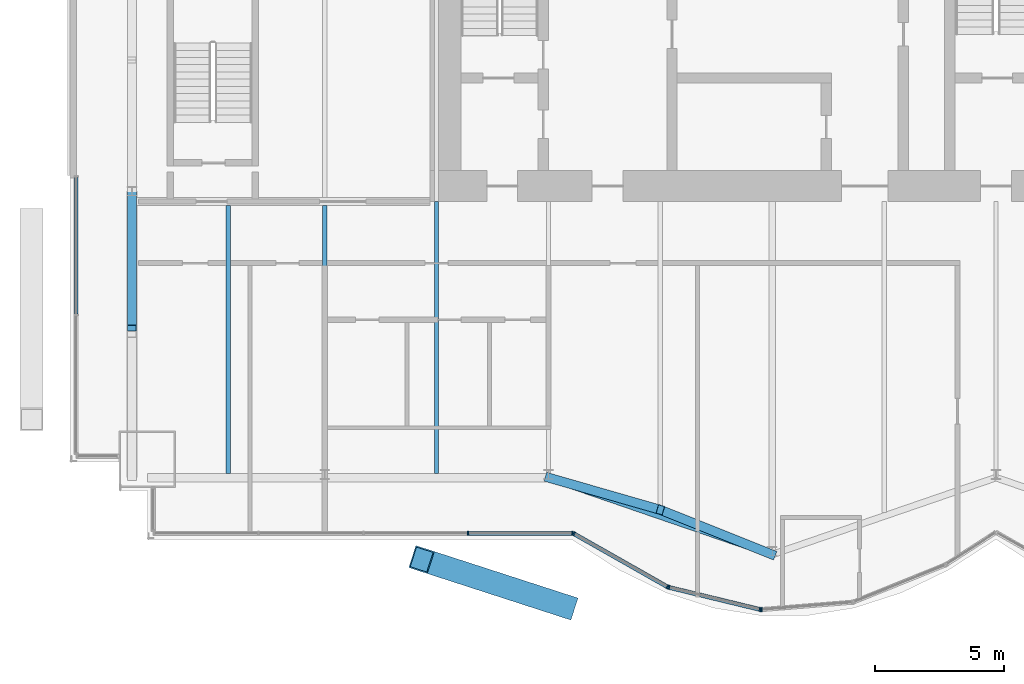
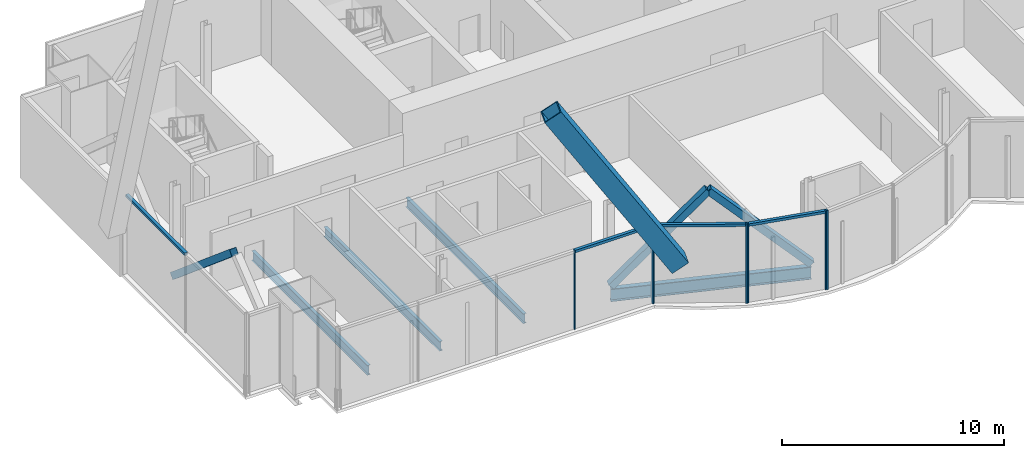
# One storey, part 7 of 22: 15 members, 4 beams, 3 elements without a shape of their own.
"""IFC4 building model written with IfcOpenShell, lengths in metres."""

from ifc_helpers import new_model, si_unit, direction, frame, origin, origin_2d, place, context, subcontext, project, spatial, rectangle, hollow_rectangle, i_section, extrude, material, material_profile, profile_set, type_object, element, aggregate, save


model = new_model("IFC4")

# Units and contexts
model_context = context("Model", 3, precision=1e-05, world=origin(), true_north=direction((0.0, 1.0)))
body_context = subcontext(model_context, "Body", "Model", "MODEL_VIEW")
ifc_project = project(units=[si_unit("LENGTHUNIT", "METRE"), si_unit("AREAUNIT", "SQUARE_METRE"), si_unit("VOLUMEUNIT", "CUBIC_METRE"), si_unit("PLANEANGLEUNIT", "RADIAN"), si_unit("MASSUNIT", "GRAM", prefix="KILO")], contexts=[model_context])

# Site, building, storey
site_placement = place(None, origin())
site = spatial("IfcSite", under=ifc_project, at=site_placement, CompositionType="ELEMENT")
building_placement = place(site_placement, origin())
building = spatial("IfcBuilding", under=site, at=building_placement, Name="Bicima Exchange Tower", CompositionType="ELEMENT")
storey_placement = place(building_placement, frame((0.0, 0.0, 315.5)))
storey = spatial("IfcBuildingStorey", under=building, at=storey_placement, Name="L71", CompositionType="ELEMENT", Elevation=315.5)

# Curtain wall, member
ifc_material_1 = material(Name="Anodised bronze aluminium", Category="aluminium")
curtain_wall_type_1 = type_object("IfcCurtainWallType", Name="End face glass wall", PredefinedType="NOTDEFINED", material=ifc_material_1)
curtain_wall_1_placement = place(storey_placement, origin())
curtain_wall_1 = element("IfcCurtainWall", 1, at=curtain_wall_1_placement, inside=storey, type_object=curtain_wall_type_1, Name="End face glass wall L71 run 2", PredefinedType="NOTDEFINED")
ifc_material_profile_1 = material_profile(ifc_material_1, rectangle(XDim=0.159912109375, YDim=0.139892578125, at=origin_2d()))
ifc_profile_set_1 = profile_set([ifc_material_profile_1], Name="Anodised bronze aluminium")
member_type_1 = type_object("IfcMemberType", Name="End face glass wall transom 140 x 160", PredefinedType="USERDEFINED", material=ifc_profile_set_1)
member_1_placement = place(storey_placement, frame((-35.77001953125, -12.06005859375, 4.280029296875), z_axis=(0.0, -1.0, 0.0), x_axis=(1.0, 0.0, 0.0)))
member_1 = element("IfcMember", 2, at=member_1_placement, type_object=member_type_1, Name="End face glass wall transom 1.1", ObjectType="TRANSOM", PredefinedType="USERDEFINED", context=body_context, shape_type="SweptSolid", body=[
    extrude(rectangle(XDim=0.159912109375, YDim=0.139892578125, at=origin_2d()), origin(), (0.0, 0.0, 1.0), 5.324951171875),
])
aggregate(curtain_wall_1, [member_1])

# Member
ifc_material_2 = material(Name="Steel ASTM A572 Gr 50", Category="steel")
ifc_material_profile_2 = material_profile(ifc_material_2, hollow_rectangle(XDim=0.89990234375, YDim=0.89990234375, WallThickness=0.050048828125, at=origin_2d()))
ifc_profile_set_2 = profile_set([ifc_material_profile_2], Name="Steel ASTM A572 Gr 50")
member_type_2 = type_object("IfcMemberType", Name="Exo mega brace BOX 900x900x50", PredefinedType="BRACE", material=ifc_profile_set_2)
member_2_placement = place(storey_placement, frame((-16.75, -28.734375, 4.02490234375), z_axis=(-0.513944782904, 0.166460667583, 0.841517442644), x_axis=(-0.308129286524, -0.951344492172, 0.0)))
element("IfcMember", 3, at=member_2_placement, inside=storey, type_object=member_type_2, Name="Exo mega brace front", PredefinedType="BRACE", context=body_context, shape_type="SweptSolid", body=[
    extrude(hollow_rectangle(XDim=0.89990234375, YDim=0.89990234375, WallThickness=0.050048828125, at=origin_2d()), origin(), (0.0, 0.0, 1.0), 10.863525390625),
])

# Beams
ifc_material_3 = material(Name="Steel ASTM A992 Gr 50", Category="steel")
ifc_material_profile_3 = material_profile(ifc_material_3, i_section(OverallWidth=0.165771484375, OverallDepth=0.5283203125, WebThickness=0.009765625, FlangeThickness=0.013671875, at=origin_2d()))
ifc_profile_set_3 = profile_set([ifc_material_profile_3], Name="Steel ASTM A992 Gr 50")
beam_type_1 = type_object("IfcBeamType", Name="Floor beam W21x50", PredefinedType="JOIST", material=ifc_profile_set_3)
for number, where, z_axis, x_axis, name in (
    (4, (-29.85009765625, -13.15234375, -0.414306640625), (0.0, -1.0, 0.0), (1.0, 0.0, 0.0), "Floor beam"),
    (5, (-26.10009765625, -13.15234375, -0.414306640625), (0.0, -1.0, 0.0), (1.0, 0.0, 0.0), "Floor beam"),
):
    element("IfcBeam", number, at=place(storey_placement, frame(where, z_axis=z_axis, x_axis=x_axis)), inside=storey, type_object=beam_type_1, Name=name, PredefinedType="JOIST", context=body_context, shape_type="SweptSolid", body=[
        extrude(i_section(OverallWidth=0.165771484375, OverallDepth=0.5283203125, WebThickness=0.009765625, FlangeThickness=0.013671875, at=origin_2d()), origin(), (0.0, 0.0, 1.0), 10.425048828125),
    ])
beam_1_placement = place(storey_placement, frame((-21.75, -13.0, -0.414306640625), z_axis=(0.0, -1.0, 0.0), x_axis=(1.0, 0.0, 0.0)))
element("IfcBeam", 6, at=beam_1_placement, inside=storey, type_object=beam_type_1, Name="Floor beam", PredefinedType="JOIST", context=body_context, shape_type="SweptSolid", body=[
    extrude(i_section(OverallWidth=0.165771484375, OverallDepth=0.5283203125, WebThickness=0.009765625, FlangeThickness=0.013671875, at=origin_2d()), origin(), (0.0, 0.0, 1.0), 10.577392578125),
])
ifc_material_profile_4 = material_profile(ifc_material_3, i_section(OverallWidth=0.256591796875, OverallDepth=0.693359375, WebThickness=0.014404296875, FlangeThickness=0.023681640625, at=origin_2d()))
ifc_profile_set_4 = profile_set([ifc_material_profile_4], Name="Steel ASTM A992 Gr 50")
beam_type_2 = type_object("IfcBeamType", Name="Front girder W27x114", PredefinedType="BEAM", material=ifc_profile_set_4)
beam_2_placement = place(storey_placement, frame((-17.39990234375, -23.739990234375, -0.49658203125), z_axis=(0.945666456746, -0.325138359143, 0.0), x_axis=(0.325138359143, 0.945666456746, 0.0)))
element("IfcBeam", 7, at=beam_2_placement, inside=storey, type_object=beam_type_2, Name="Front girder", PredefinedType="BEAM", context=body_context, shape_type="SweptSolid", body=[
    extrude(i_section(OverallWidth=0.256591796875, OverallDepth=0.693359375, WebThickness=0.014404296875, FlangeThickness=0.023681640625, at=origin_2d()), origin(), (0.0, 0.0, 1.0), 9.19970703125),
])

# Curtain wall, members
curtain_wall_type_2 = type_object("IfcCurtainWallType", Name="Front glass wall", PredefinedType="NOTDEFINED", material=ifc_material_1)
curtain_wall_2_placement = place(storey_placement, origin())
curtain_wall_2 = element("IfcCurtainWall", 8, at=curtain_wall_2_placement, inside=storey, type_object=curtain_wall_type_2, Name="Front glass wall L71 run 5", PredefinedType="NOTDEFINED")
ifc_material_profile_5 = material_profile(ifc_material_1, rectangle(XDim=0.159912109375, YDim=0.06005859375, at=origin_2d()))
ifc_profile_set_5 = profile_set([ifc_material_profile_5], Name="Anodised bronze aluminium")
member_type_3 = type_object("IfcMemberType", Name="Front glass wall mullion 60 x 160", PredefinedType="MULLION", material=ifc_profile_set_5)
member_3_placement = place(storey_placement, frame((-20.531494140625, -25.909912109375, 0.0), z_axis=(0.0, 0.0, 1.0), x_axis=(0.0, 1.0, 0.0)))
member_3 = element("IfcMember", 9, at=member_3_placement, type_object=member_type_3, Name="Front glass wall mullion 4", PredefinedType="MULLION", context=body_context, shape_type="SweptSolid", body=[
    extrude(rectangle(XDim=0.159912109375, YDim=0.06005859375, at=origin_2d()), origin(), (0.0, 0.0, 1.0), 4.35009765625),
])
member_4_placement = place(storey_placement, frame((-16.462158203125, -25.909912109375, 0.0), z_axis=(0.0, 0.0, 1.0), x_axis=(0.0, 1.0, 0.0)))
member_4 = element("IfcMember", 10, at=member_4_placement, type_object=member_type_3, Name="Front glass wall mullion 5", PredefinedType="MULLION", context=body_context, shape_type="SweptSolid", body=[
    extrude(rectangle(XDim=0.159912109375, YDim=0.06005859375, at=origin_2d()), origin(), (0.0, 0.0, 1.0), 4.35009765625),
])

curtain_wall_3_placement = place(storey_placement, origin())
curtain_wall_3 = element("IfcCurtainWall", 11, at=curtain_wall_3_placement, inside=storey, type_object=curtain_wall_type_2, Name="Front glass wall L71 run 6", PredefinedType="NOTDEFINED")
member_5_placement = place(storey_placement, frame((-16.406005859375, -25.9248046875, 0.0), z_axis=(0.0, 0.0, 1.0), x_axis=(0.493395449343, 0.869805110681, 0.0)))
member_5 = element("IfcMember", 12, at=member_5_placement, type_object=member_type_3, Name="Front glass wall mullion 1", PredefinedType="MULLION", context=body_context, shape_type="SweptSolid", body=[
    extrude(rectangle(XDim=0.159912109375, YDim=0.06005859375, at=origin_2d()), origin(), (0.0, 0.0, 1.0), 4.35009765625),
])
member_6_placement = place(storey_placement, frame((-12.7734375, -27.9853515625, 0.0), z_axis=(0.0, 0.0, 1.0), x_axis=(0.493395449343, 0.869805110681, 0.0)))
member_6 = element("IfcMember", 13, at=member_6_placement, type_object=member_type_3, Name="Front glass wall mullion 2", PredefinedType="MULLION", context=body_context, shape_type="SweptSolid", body=[
    extrude(rectangle(XDim=0.159912109375, YDim=0.06005859375, at=origin_2d()), origin(), (0.0, 0.0, 1.0), 4.35009765625),
])
member_7_placement = place(storey_placement, frame((-12.718017578125, -28.00732421875, 0.0), z_axis=(0.0, 0.0, 1.0), x_axis=(0.235681529503, 0.971830343553, 0.0)))
member_7 = element("IfcMember", 14, at=member_7_placement, type_object=member_type_3, Name="Front glass wall mullion 1", PredefinedType="MULLION", context=body_context, shape_type="SweptSolid", body=[
    extrude(rectangle(XDim=0.159912109375, YDim=0.06005859375, at=origin_2d()), origin(), (0.0, 0.0, 1.0), 4.35009765625),
])
member_8_placement = place(storey_placement, frame((-9.177490234375, -28.865966796875, 0.0), z_axis=(0.0, 0.0, 1.0), x_axis=(0.235681529503, 0.971830343553, 0.0)))
member_8 = element("IfcMember", 15, at=member_8_placement, type_object=member_type_3, Name="Front glass wall mullion 2", PredefinedType="MULLION", context=body_context, shape_type="SweptSolid", body=[
    extrude(rectangle(XDim=0.159912109375, YDim=0.06005859375, at=origin_2d()), origin(), (0.0, 0.0, 1.0), 4.35009765625),
])
member_9_placement = place(storey_placement, frame((-9.118408203125, -28.87060546875, 0.0), z_axis=(0.0, 0.0, 1.0), x_axis=(-0.080588612633, 0.99674744821, 0.0)))
member_9 = element("IfcMember", 16, at=member_9_placement, type_object=member_type_3, Name="Front glass wall mullion 1", PredefinedType="MULLION", context=body_context, shape_type="SweptSolid", body=[
    extrude(rectangle(XDim=0.159912109375, YDim=0.06005859375, at=origin_2d()), origin(), (0.0, 0.0, 1.0), 4.35009765625),
])

# Member
member_type_4 = type_object("IfcMemberType", Name="Front glass wall transom 140 x 160", PredefinedType="USERDEFINED", material=ifc_profile_set_1)
member_10_placement = place(storey_placement, frame((-20.501708984375, -25.909912109375, 4.280029296875), z_axis=(1.0, 0.0, 0.0), x_axis=(0.0, 1.0, 0.0)))
member_10 = element("IfcMember", 17, at=member_10_placement, type_object=member_type_4, Name="Front glass wall transom 4.1", ObjectType="TRANSOM", PredefinedType="USERDEFINED", context=body_context, shape_type="SweptSolid", body=[
    extrude(rectangle(XDim=0.159912109375, YDim=0.139892578125, at=origin_2d()), origin(), (0.0, 0.0, 1.0), 4.009521484375),
])

aggregate(curtain_wall_2, [member_3, member_4, member_10])

member_11_placement = place(storey_placement, frame((-16.3798828125, -25.939697265625, 4.280029296875), z_axis=(0.869797371721, -0.49340909208, 0.0), x_axis=(0.49340909208, 0.869797371721, 0.0)))
member_11 = element("IfcMember", 18, at=member_11_placement, type_object=member_type_4, Name="Front glass wall transom 1.1", ObjectType="TRANSOM", PredefinedType="USERDEFINED", context=body_context, shape_type="SweptSolid", body=[
    extrude(rectangle(XDim=0.159912109375, YDim=0.139892578125, at=origin_2d()), origin(), (0.0, 0.0, 1.0), 4.1162109375),
])

member_12_placement = place(storey_placement, frame((-12.68896484375, -28.014404296875, 4.280029296875), z_axis=(0.971833557815, -0.235668275132, 0.0), x_axis=(0.235668275132, 0.971833557815, 0.0)))
member_12 = element("IfcMember", 19, at=member_12_placement, type_object=member_type_4, Name="Front glass wall transom 1.1", ObjectType="TRANSOM", PredefinedType="USERDEFINED", context=body_context, shape_type="SweptSolid", body=[
    extrude(rectangle(XDim=0.159912109375, YDim=0.139892578125, at=origin_2d()), origin(), (0.0, 0.0, 1.0), 3.583251953125),
])

aggregate(curtain_wall_3, [member_5, member_6, member_11, member_7, member_8, member_12, member_9])

# Members
ifc_material_profile_6 = material_profile(ifc_material_2, hollow_rectangle(XDim=0.355712890625, YDim=0.355712890625, WallThickness=0.01171875, at=origin_2d()))
ifc_profile_set_6 = profile_set([ifc_material_profile_6], Name="Steel ASTM A572 Gr 50")
member_type_5 = type_object("IfcMemberType", Name="Mega brace HSS14x14x1/2", PredefinedType="BRACE", material=ifc_profile_set_6)
member_13_placement = place(storey_placement, frame((-17.39990234375, -23.739990234375, 0.0), z_axis=(0.681519101026, -0.196074923492, 0.705043501718), x_axis=(0.27648739579, 0.961017544049, 0.0)))
element("IfcMember", 20, at=member_13_placement, inside=storey, type_object=member_type_5, Name="Mega brace front", PredefinedType="BRACE", context=body_context, shape_type="SweptSolid", body=[
    extrude(hollow_rectangle(XDim=0.355712890625, YDim=0.355712890625, WallThickness=0.01171875, at=origin_2d()), origin(), (0.0, 0.0, 1.0), 6.382568359375),
])
member_14_placement = place(storey_placement, frame((-8.699951171875, -26.731201171875, 0.0), z_axis=(-0.669641624162, 0.267811550891, 0.692717163349), x_axis=(-0.3713367687, -0.928498252132, 0.0)))
element("IfcMember", 21, at=member_14_placement, inside=storey, type_object=member_type_5, Name="Mega brace front", PredefinedType="BRACE", context=body_context, shape_type="SweptSolid", body=[
    extrude(hollow_rectangle(XDim=0.355712890625, YDim=0.355712890625, WallThickness=0.01171875, at=origin_2d()), origin(), (0.0, 0.0, 1.0), 6.49609375),
])
member_15_placement = place(storey_placement, frame((-33.60009765625, -12.60009765625, -0.5361328125), z_axis=(0.0, -0.76384961339, 0.64539427339), x_axis=(1.0, 0.0, 0.0)))
element("IfcMember", 22, at=member_15_placement, inside=storey, type_object=member_type_5, Name="Mega brace west end", PredefinedType="BRACE", context=body_context, shape_type="SweptSolid", body=[
    extrude(hollow_rectangle(XDim=0.355712890625, YDim=0.355712890625, WallThickness=0.01171875, at=origin_2d()), origin(), (0.0, 0.0, 1.0), 6.972412109375),
])

save(model, "model.ifc")
